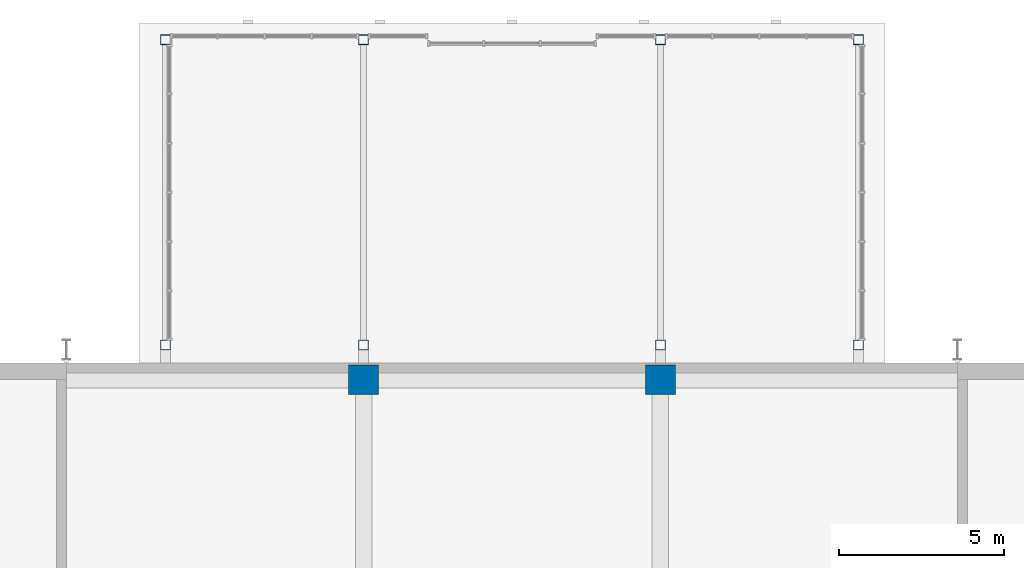
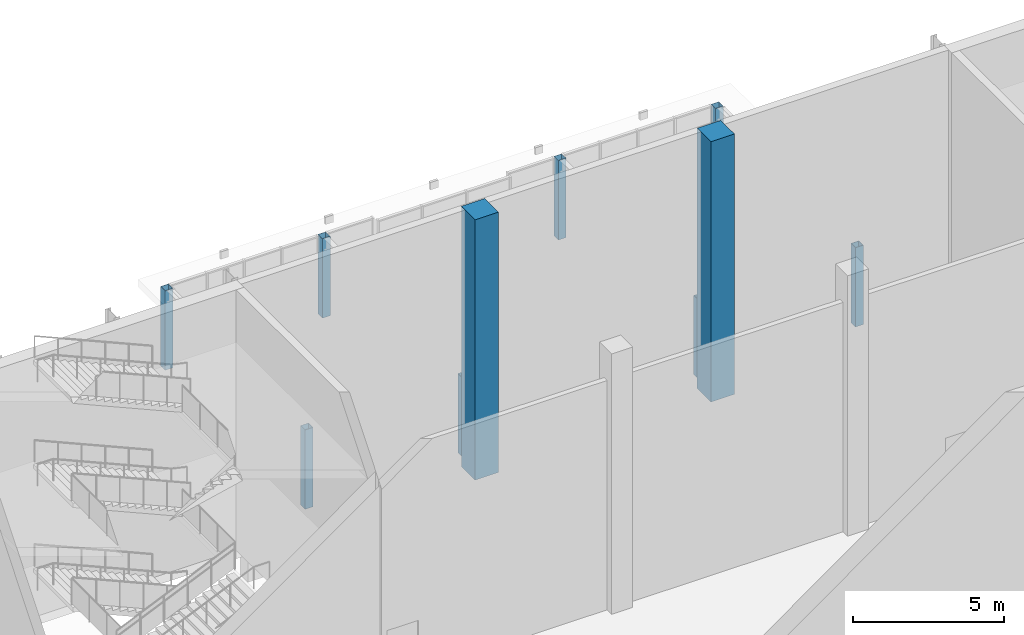
# One storey, part 11 of 182: 10 columns.
"""IFC4 building model written with IfcOpenShell, lengths in metres."""

import ifcopenshell
import ifcopenshell.guid

model = None  # the IFC model being written
_history = None  # IfcOwnerHistory: only IFC2X3 demands one
_inside = {}  # id of a spatial element -> (the spatial element, [elements in it])
_under = {}  # id of a project, library or spatial element -> (it, [spatial elements below it])
_declared = {}  # id of a project -> (the project, [libraries it declares])
_typed = {}  # id of a type object -> (the type object, [elements of that type])
_made_of = {}  # id of a material, layer set ... -> (it, [elements and type objects made of it])


def new_model(schema):
    """Start an empty IFC model of exactly this schema.

    Asked for "IFC4X3", IfcOpenShell would pick the latest addendum, in which some entities
    have other attributes; the version numbers below select the first issue.
    IFC2X3 requires an IfcOwnerHistory on every rooted entity: one is made here for all.
    """
    global model, _history
    if schema == "IFC4X3":
        model = ifcopenshell.file(schema_version=(4, 3, 0, 0))
    else:
        model = ifcopenshell.file(schema=schema)
    _inside.clear()
    _under.clear()
    _declared.clear()
    _typed.clear()
    _made_of.clear()
    _history = None
    if model.schema == "IFC2X3":
        org = make("IfcOrganization", Name="unknown")
        user = make(
            "IfcPersonAndOrganization",
            ThePerson=make("IfcPerson", FamilyName="unknown"),
            TheOrganization=org,
        )
        app = make(
            "IfcApplication",
            ApplicationDeveloper=org,
            Version="unknown",
            ApplicationFullName="unknown",
            ApplicationIdentifier="unknown",
        )
        _history = make(
            "IfcOwnerHistory",
            OwningUser=user,
            OwningApplication=app,
            ChangeAction="ADDED",
            CreationDate=0,
        )
    return model


def make(cls, **values):
    """One entity of the class cls with the attributes given. An attribute that is None is left unset."""
    return model.create_entity(
        cls, **{name: value for name, value in values.items() if value is not None}
    )


def rooted(cls, **values):
    """An entity with a GlobalId (a new one), such as an element, a storey or a relation."""
    return make(cls, GlobalId=ifcopenshell.guid.new(), OwnerHistory=_history, **values)


def si_unit(unit_type, name, prefix=None):
    """IfcSIUnit, for example si_unit("LENGTHUNIT", "METRE", prefix="MILLI")."""
    return make("IfcSIUnit", UnitType=unit_type, Prefix=prefix, Name=name)


def assignment(units):
    """IfcUnitAssignment: the units of a project."""
    return None if units is None else make("IfcUnitAssignment", Units=units)


def point(xyz):
    """IfcCartesianPoint."""
    return None if xyz is None else make("IfcCartesianPoint", Coordinates=xyz)


def direction(xyz):
    """IfcDirection."""
    return None if xyz is None else make("IfcDirection", DirectionRatios=xyz)


def frame(location, z_axis=None, x_axis=None):
    """IfcAxis2Placement3D, a coordinate frame: its origin and axes. An axis left out is left unset."""
    return make(
        "IfcAxis2Placement3D",
        Location=point(location),
        Axis=direction(z_axis),
        RefDirection=direction(x_axis),
    )


def frame_2d(location, x_axis=None):
    """IfcAxis2Placement2D, a coordinate frame in the plane: its origin and x axis."""
    return make(
        "IfcAxis2Placement2D", Location=point(location), RefDirection=direction(x_axis)
    )


def origin():
    """The frame at (0, 0, 0) with its axes left unset."""
    return frame((0.0, 0.0, 0.0))


def origin_2d():
    """The frame at (0, 0) in the plane with its x axis left unset."""
    return frame_2d((0.0, 0.0))


def place(relative_to, where):
    """IfcLocalPlacement: puts the frame where relative to a parent placement (None: the world)."""
    return make(
        "IfcLocalPlacement", PlacementRelTo=relative_to, RelativePlacement=where
    )


def context(
    kind, dimensions, precision=None, world=None, true_north=None, identifier=None
):
    """IfcGeometricRepresentationContext, for example the 3D "Model" context."""
    return make(
        "IfcGeometricRepresentationContext",
        ContextIdentifier=identifier,
        ContextType=kind,
        CoordinateSpaceDimension=dimensions,
        Precision=precision,
        WorldCoordinateSystem=world,
        TrueNorth=true_north,
    )


def subcontext(parent, identifier, kind, view, scale=None):
    """IfcGeometricRepresentationSubContext, for example "Body" below "Model"."""
    return make(
        "IfcGeometricRepresentationSubContext",
        ContextIdentifier=identifier,
        ContextType=kind,
        ParentContext=parent,
        TargetScale=scale,
        TargetView=view,
    )


def project(units=None, contexts=None):
    """IfcProject with its units and contexts."""
    return rooted(
        "IfcProject",
        Name="project",
        RepresentationContexts=contexts,
        UnitsInContext=assignment(units),
    )


def spatial(cls, under=None, at=None, **own):
    """A site, building, storey or space (cls), placed at a placement, below another one or the project."""
    s = rooted(cls, ObjectPlacement=at, **own)
    if under is not None:
        _under.setdefault(under.id(), (under, []))[1].append(s)
    return s


def profile(cls, at=None, kind="AREA", **sizes):
    """A parametric profile (cls). Its sizes go by their IFC names, for example OverallWidth=200.0."""
    return make(cls, ProfileType=kind, Position=at, **sizes)


def rectangle(**sizes):
    """IfcRectangleProfileDef."""
    return profile("IfcRectangleProfileDef", **sizes)


def hollow_rectangle(**sizes):
    """IfcRectangleHollowProfileDef."""
    return profile("IfcRectangleHollowProfileDef", **sizes)


def extrude(swept, where, along, depth):
    """IfcExtrudedAreaSolid: the profile swept, set in the frame where, extruded along a direction by depth."""
    return make(
        "IfcExtrudedAreaSolid",
        SweptArea=swept,
        Position=where,
        ExtrudedDirection=direction(along),
        Depth=depth,
    )


def shape(context_of_items, identifier, shape_type, items):
    """IfcShapeRepresentation: the items that make up one representation, for example the "Body"."""
    return make(
        "IfcShapeRepresentation",
        ContextOfItems=context_of_items,
        RepresentationIdentifier=identifier,
        RepresentationType=shape_type,
        Items=items,
    )


def material(Name=None, Category=None):
    """IfcMaterial."""
    return make("IfcMaterial", Name=Name, Category=Category)


def material_profile(
    of_material, cross_section, Name=None, Category=None, Priority=None
):
    """IfcMaterialProfile: a cross section and its material."""
    return make(
        "IfcMaterialProfile",
        Name=Name,
        Material=of_material,
        Profile=cross_section,
        Priority=Priority,
        Category=Category,
    )


def profile_set(profiles, Name=None, composite=None):
    """IfcMaterialProfileSet."""
    return make(
        "IfcMaterialProfileSet",
        Name=Name,
        MaterialProfiles=profiles,
        CompositeProfile=composite,
    )


def made_of(thing, what):
    """Note that an element or type object is made of a material, layer set ...; save() writes the relation."""
    if what is not None:
        _made_of.setdefault(what.id(), (what, []))[1].append(thing)
    return thing


def type_object(cls, material=None, **own):
    """A type object (cls), such as IfcWallType, which elements share."""
    return made_of(rooted(cls, **own), material)


def element(
    cls,
    number,
    at=None,
    inside=None,
    cuts=None,
    type_object=None,
    material=None,
    context=None,
    identifier="Body",
    shape_type=None,
    held_by="IfcProductDefinitionShape",
    body=None,
    shapes=None,
    **own,
):
    """One element of the class cls, such as IfcWall. Its Tag is "e" and its number.

    at: its placement. inside: the storey or other place that contains it. cuts: it is an
    opening in that element (IfcRelVoidsElement). A single representation is given by context,
    identifier, shape_type and body (its items); several are given by shapes. held_by: the class
    of the entity that holds the representations. save() writes the other relations.
    """
    e = rooted(cls, Tag="e%d" % number, ObjectPlacement=at, **own)
    if body is not None:
        shapes = [shape(context, identifier, shape_type, body)]
    if shapes is not None:
        e.Representation = make(held_by, Representations=shapes)
    if inside is not None:
        _inside.setdefault(inside.id(), (inside, []))[1].append(e)
    if cuts is not None:
        rooted(
            "IfcRelVoidsElement", RelatingBuildingElement=cuts, RelatedOpeningElement=e
        )
    if type_object is not None:
        _typed.setdefault(type_object.id(), (type_object, []))[1].append(e)
    return made_of(e, material)


def aggregate(whole, parts):
    """IfcRelAggregates: a whole, such as a stair, and the parts it consists of."""
    return rooted("IfcRelAggregates", RelatingObject=whole, RelatedObjects=parts)


def save(model, path):
    """Write the relations noted so far, then the file.

    IfcRelAggregates (storeys below a building ...), IfcRelContainedInSpatialStructure (elements
    in a storey), IfcRelDefinesByType, IfcRelAssociatesMaterial and IfcRelDeclares: one each for
    every whole, place, type object, material and project.
    """
    for whole, parts in _under.values():
        aggregate(whole, parts)
    for where, things in _inside.values():
        rooted(
            "IfcRelContainedInSpatialStructure",
            RelatedElements=things,
            RelatingStructure=where,
        )
    for kind, things in _typed.values():
        rooted("IfcRelDefinesByType", RelatedObjects=things, RelatingType=kind)
    for what, things in _made_of.values():
        rooted("IfcRelAssociatesMaterial", RelatedObjects=things, RelatingMaterial=what)
    for by, libraries in _declared.values():
        rooted("IfcRelDeclares", RelatingContext=by, RelatedDefinitions=libraries)
    model.write(path)


model = new_model("IFC4")

# Units and contexts
model_context = context("Model", 3, precision=1e-05, world=origin(), true_north=direction((0.0, 1.0)))
body_context = subcontext(model_context, "Body", "Model", "MODEL_VIEW")
ifc_project = project(units=[si_unit("LENGTHUNIT", "METRE"), si_unit("AREAUNIT", "SQUARE_METRE"), si_unit("VOLUMEUNIT", "CUBIC_METRE"), si_unit("PLANEANGLEUNIT", "RADIAN"), si_unit("MASSUNIT", "GRAM", prefix="KILO")], contexts=[model_context])

# Site, building, storey
site_placement = place(None, origin())
site = spatial("IfcSite", under=ifc_project, at=site_placement, CompositionType="ELEMENT")
building_placement = place(site_placement, origin())
building = spatial("IfcBuilding", under=site, at=building_placement, Name="Silverbay Arena", CompositionType="ELEMENT")
storey_placement = place(building_placement, frame((0.0, 0.0, 11.5)))
storey = spatial("IfcBuildingStorey", under=building, at=storey_placement, Name="L02", CompositionType="ELEMENT", Elevation=11.5)

# Columns
ifc_material_1 = material(Name="Steel S355", Category="steel")
ifc_material_profile_1 = material_profile(ifc_material_1, hollow_rectangle(XDim=0.300048828125, YDim=0.300048828125, WallThickness=0.012451171875, at=origin_2d()), Name="SHS 300x300x12.5")
ifc_profile_set_1 = profile_set([ifc_material_profile_1], Name="Steel S355")
column_type_1 = type_object("IfcColumnType", Name="Hall column SHS 300x300x12.5", PredefinedType="COLUMN", material=ifc_profile_set_1)
for number, where, z_axis, x_axis, name in (
    (1, (120.0, 154.300048828125, 0.0), (0.0, 0.0, 1.0), (1.0, 0.0, 0.0), "North entrance hall N1 column F1"),
    (2, (120.0, 145.050048828125, 0.0), (0.0, 0.0, 1.0), (1.0, 0.0, 0.0), "North entrance hall N1 column B1"),
    (3, (126.0, 154.300048828125, 0.0), (0.0, 0.0, 1.0), (1.0, 0.0, 0.0), "North entrance hall N1 column F2"),
    (4, (126.0, 145.050048828125, 0.0), (0.0, 0.0, 1.0), (1.0, 0.0, 0.0), "North entrance hall N1 column B2"),
    (5, (135.0, 154.300048828125, 0.0), (0.0, 0.0, 1.0), (1.0, 0.0, 0.0), "North entrance hall N1 column F3"),
    (6, (135.0, 145.050048828125, 0.0), (0.0, 0.0, 1.0), (1.0, 0.0, 0.0), "North entrance hall N1 column B3"),
    (7, (141.0, 154.300048828125, 0.0), (0.0, 0.0, 1.0), (1.0, 0.0, 0.0), "North entrance hall N1 column F4"),
    (8, (141.0, 145.050048828125, 0.0), (0.0, 0.0, 1.0), (1.0, 0.0, 0.0), "North entrance hall N1 column B4"),
):
    element("IfcColumn", number, at=place(storey_placement, frame(where, z_axis=z_axis, x_axis=x_axis)), inside=storey, type_object=column_type_1, Name=name, PredefinedType="COLUMN", context=body_context, shape_type="SweptSolid", body=[
        extrude(hollow_rectangle(XDim=0.300048828125, YDim=0.300048828125, WallThickness=0.012451171875, at=origin_2d()), origin(), (0.0, 0.0, 1.0), 3.199951171875),
    ])
ifc_material_2 = material(Name="Concrete Grade C45", Category="concrete")
ifc_material_profile_2 = material_profile(ifc_material_2, rectangle(XDim=0.89990234375, YDim=0.89990234375, at=origin_2d()), Name="RC 900x900")
ifc_profile_set_2 = profile_set([ifc_material_profile_2], Name="Concrete Grade C45")
column_type_2 = type_object("IfcColumnType", Name="RC column 900x900", PredefinedType="COLUMN", material=ifc_profile_set_2)
for number, where, z_axis, x_axis, name in (
    (9, (126.0, 144.0, 0.0), (0.0, 0.0, 1.0), (1.0, 0.0, 0.0), "Column 15/S L02"),
    (10, (135.0, 144.0, 0.0), (0.0, 0.0, 1.0), (1.0, 0.0, 0.0), "Column 16/S L02"),
):
    element("IfcColumn", number, at=place(storey_placement, frame(where, z_axis=z_axis, x_axis=x_axis)), inside=storey, type_object=column_type_2, Name=name, PredefinedType="COLUMN", context=body_context, shape_type="SweptSolid", body=[
        extrude(rectangle(XDim=0.89990234375, YDim=0.89990234375, at=origin_2d()), origin(), (0.0, 0.0, 1.0), 10.5),
    ])

save(model, "model.ifc")
